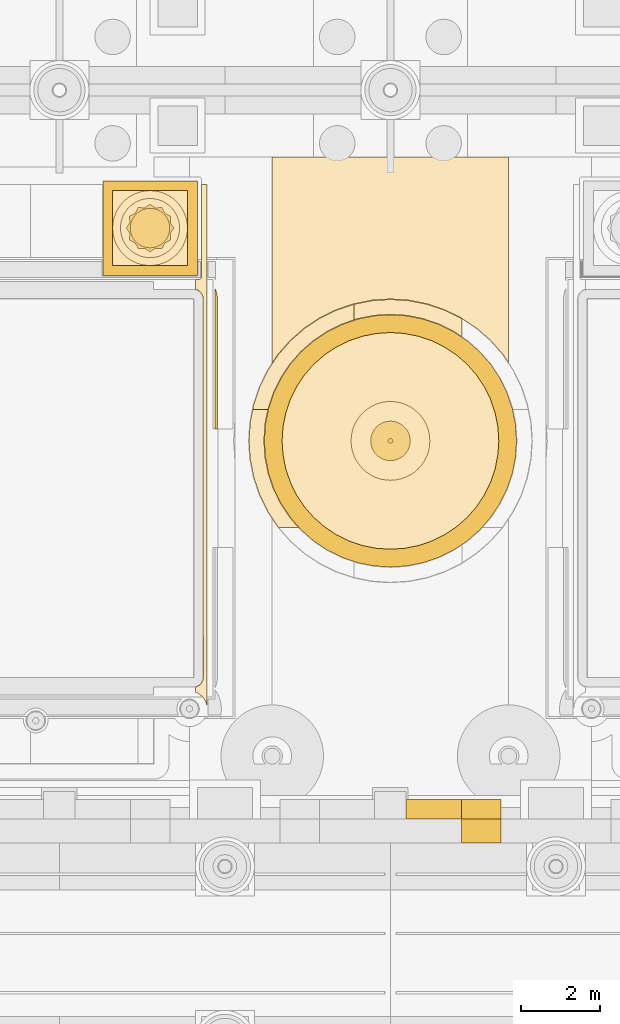
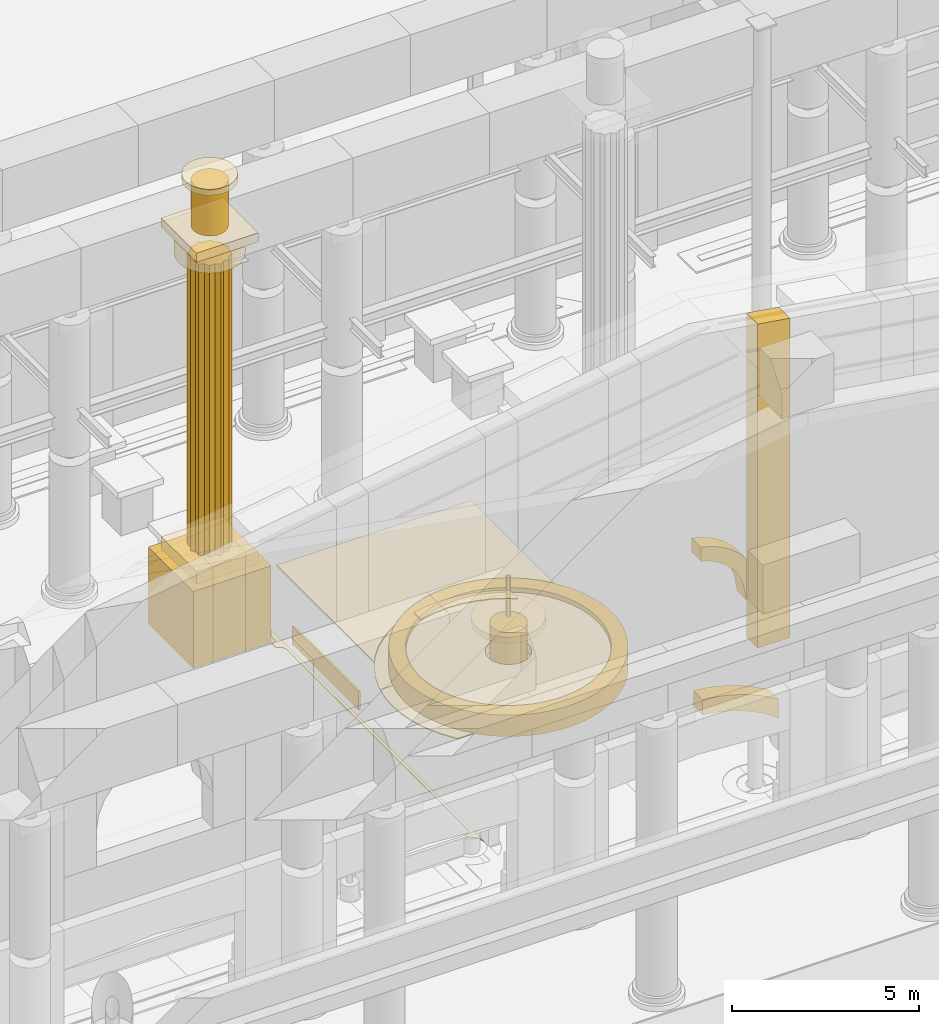
# One storey, part 123 of 222: 22 coverings.
"""IFC4 building model written with IfcOpenShell, lengths in metres."""

from ifc_helpers import new_model, si_unit, direction, frame, origin, origin_2d, place, context, subcontext, project, spatial, polyline, circle, outline, extrude, material, layer, layer_set, type_object, element, save


model = new_model("IFC4")

# Units and contexts
model_context = context("Model", 3, precision=1e-05, world=origin(), true_north=direction((0.0, 1.0)))
body_context = subcontext(model_context, "Body", "Model", "MODEL_VIEW")
ifc_project = project(units=[si_unit("LENGTHUNIT", "METRE"), si_unit("AREAUNIT", "SQUARE_METRE"), si_unit("VOLUMEUNIT", "CUBIC_METRE"), si_unit("PLANEANGLEUNIT", "RADIAN"), si_unit("MASSUNIT", "GRAM", prefix="KILO")], contexts=[model_context])

# Site, building, storey
site_placement = place(None, origin())
site = spatial("IfcSite", under=ifc_project, at=site_placement, CompositionType="ELEMENT")
building_placement = place(site_placement, origin())
building = spatial("IfcBuilding", under=site, at=building_placement, Name="Sava Quay Ferry Terminal", CompositionType="ELEMENT")
storey_placement = place(building_placement, origin())
storey = spatial("IfcBuildingStorey", under=building, at=storey_placement, Name="L00", CompositionType="ELEMENT", Elevation=0.0)

# Coverings
ifc_material_1 = material(Name="Limestone Mutalj", Category="masonry")
ifc_layer_1 = layer(ifc_material_1, 0.5)
ifc_layer_set_1 = layer_set([ifc_layer_1], Name="Limestone Mutalj")
covering_type_1 = type_object("IfcCoveringType", Name="Arch archivolt 500", PredefinedType="MOLDING", material=ifc_layer_set_1)
covering_1_placement = place(storey_placement, frame((63.449951171875, 0.39990234375, 4.1279296875), z_axis=(0.0, -1.0, 0.0), x_axis=(0.993307380301, 0.0, -0.115500858175)))
element("IfcCovering", 1, at=covering_1_placement, inside=storey, type_object=covering_type_1, Name="Arch archivolt", PredefinedType="MOLDING", context=body_context, shape_type="SweptSolid", body=[
    extrude(outline(polyline([(0.0, 0.0), (0.16910047517119814, 3.469446951953614e-18), (0.3386916034020246, -0.0063333722524431535), (0.5092865965134697, -0.019186226538567767), (0.6803722426845432, -0.03837245307713555), (0.8524617537362355, -0.06407816164938478), (1.025154711654367, -0.09708726921265261), (1.1988797329048202, -0.13685836549424574), (1.3734789061580595, -0.18414716899979858), (1.5487661216328463, -0.2394668915503016), (1.7251981942467658, -0.30251862955770537), (1.9024593013407467, -0.3748138200332787), (2.0810062578323745, -0.4560535593889721), (2.2605232410625775, -0.5477492846360541), (2.4415516613040493, -0.6503296122404072), (2.3707453490783825, -0.04139532709967292), (2.1917190189078077, 0.04396702589496604), (2.013922141231474, 0.12086984337877266), (1.8368415042283905, 0.18949923513298525), (1.66090572436444, 0.25039661143029707), (1.4856015898186314, 0.3037480820519464), (1.3113013201534418, 0.3505800706399143), (1.1375762989029885, 0.39035116692150745), (0.9645844373968073, 0.42381708940236024), (0.7925682423195425, 0.4510060365341754), (0.6210145018502029, 0.4721041180981913), (0.4503800309063738, 0.48741023768245734), (0.28017981611876747, 0.4968679983835679), (0.11089887085667155, 0.5005337971049285), (-0.05800421515260716, 0.4988362503124215), (0.0, 0.0)])), origin(), (0.0, 0.0, -1.0), 0.5),
])
ifc_material_2 = material(Name="Limestone Mutalj", Category="masonry")
ifc_layer_2 = layer(ifc_material_2, 0.60009765625)
ifc_layer_set_2 = layer_set([ifc_layer_2], Name="Limestone Mutalj")
covering_type_2 = type_object("IfcCoveringType", Name="Attic window jamb panel 600", PredefinedType="CLADDING", material=ifc_layer_set_2)
covering_2_placement = place(storey_placement, frame((64.800048828125, -0.199951171875, 6.199951171875), z_axis=(0.0, -1.0, 0.0), x_axis=(1.0, 0.0, 0.0)))
element("IfcCovering", 2, at=covering_2_placement, inside=storey, type_object=covering_type_2, Name="Attic window jamb panel", PredefinedType="CLADDING", context=body_context, shape_type="SweptSolid", body=[
    extrude(outline(polyline([(0.0, 0.0), (1.0, 0.0), (1.0, 10.416015625), (0.0, 10.571044921875), (0.0, 0.0)])), origin(), (0.0, 0.0, -1.0), 0.60009765625),
])
ifc_material_3 = material(Name="Basalt setts", Category="masonry")
ifc_layer_3 = layer(ifc_material_3, 0.02001953125)
ifc_layer_set_3 = layer_set([ifc_layer_3], Name="Basalt setts")
covering_type_3 = type_object("IfcCoveringType", Name="Basalt inlay line 20", PredefinedType="FLOORING", material=ifc_layer_set_3)
covering_3_placement = place(storey_placement, frame((0.0, 0.0, 0.050048828125)))
element("IfcCovering", 3, at=covering_3_placement, inside=storey, type_object=covering_type_3, Name="Basalt inlay line", PredefinedType="FLOORING", context=body_context, shape_type="SweptSolid", body=[
    extrude(outline(polyline([(58.072998046875, 3.760986328125), (58.050048828125, 3.7548828125), (58.050048828125, 3.6220703125), (58.074951171875, 3.614013671875), (58.1220703125, 3.591064453125), (58.1708984375, 3.55908203125), (58.219970703125, 3.51611328125), (58.259033203125, 3.470947265625), (58.2880859375, 3.427978515625), (58.31689453125, 3.368896484375), (58.3349609375, 3.31298828125), (58.345947265625, 3.261962890625), (58.35009765625, 3.197021484375), (58.35009765625, 16.5), (58.199951171875, 16.5), (58.199951171875, 14.14990234375), (58.196044921875, 14.131103515625), (58.18896484375, 14.117919921875), (58.177978515625, 14.10791015625), (58.1650390625, 14.10205078125), (58.14990234375, 14.10009765625), (58.050048828125, 14.10009765625), (58.050048828125, 13.844970703125), (58.072998046875, 13.839111328125), (58.095947265625, 13.8310546875), (58.138916015625, 13.80810546875), (58.158935546875, 13.79296875), (58.177001953125, 13.777099609375), (58.193115234375, 13.759033203125), (58.2080078125, 13.739013671875), (58.23095703125, 13.696044921875), (58.239013671875, 13.673095703125), (58.2490234375, 13.625), (58.25, 4.0), (58.2490234375, 3.97509765625), (58.239013671875, 3.927001953125), (58.23095703125, 3.904052734375), (58.2080078125, 3.861083984375), (58.193115234375, 3.841064453125), (58.177001953125, 3.822998046875), (58.158935546875, 3.806884765625), (58.138916015625, 3.7919921875), (58.095947265625, 3.76904296875), (58.072998046875, 3.760986328125)])), origin(), (0.0, 0.0, 1.0), 0.02001953125),
])
ifc_material_4 = material(Name="Limestone Mutalj", Category="masonry")
ifc_layer_4 = layer(ifc_material_4, 0.25)
ifc_layer_set_4 = layer_set([ifc_layer_4], Name="Limestone Mutalj")
covering_type_4 = type_object("IfcCoveringType", Name="Basin floor 250", PredefinedType="FLOORING", material=ifc_layer_set_4)
covering_4_placement = place(storey_placement, origin())
element("IfcCovering", 4, at=covering_4_placement, inside=storey, type_object=covering_type_4, Name="Basin floor", PredefinedType="FLOORING", context=body_context, shape_type="SweptSolid", body=[
    extrude(outline(polyline([(65.75, 10.0), (65.72607421875, 10.35888671875), (65.656005859375, 10.7119140625), (65.541015625, 11.052001953125), (65.382080078125, 11.375), (65.181884765625, 11.674072265625), (64.945068359375, 11.945068359375), (64.674072265625, 12.181884765625), (64.375, 12.382080078125), (64.052001953125, 12.541015625), (63.7119140625, 12.656005859375), (63.35888671875, 12.72607421875), (63.0, 12.75), (62.64111328125, 12.72607421875), (62.2880859375, 12.656005859375), (61.947998046875, 12.541015625), (61.625, 12.382080078125), (61.325927734375, 12.181884765625), (61.054931640625, 11.945068359375), (60.818115234375, 11.674072265625), (60.617919921875, 11.375), (60.458984375, 11.052001953125), (60.343994140625, 10.7119140625), (60.27392578125, 10.35888671875), (60.25, 10.0), (60.27392578125, 9.64111328125), (60.343994140625, 9.2880859375), (60.458984375, 8.947998046875), (60.617919921875, 8.625), (60.818115234375, 8.325927734375), (61.054931640625, 8.054931640625), (61.325927734375, 7.818115234375), (61.625, 7.617919921875), (61.947998046875, 7.458984375), (62.2880859375, 7.343994140625), (62.64111328125, 7.27392578125), (63.0, 7.25), (63.35888671875, 7.27392578125), (63.7119140625, 7.343994140625), (64.052001953125, 7.458984375), (64.375, 7.617919921875), (64.674072265625, 7.818115234375), (64.945068359375, 8.054931640625), (65.181884765625, 8.325927734375), (65.382080078125, 8.625), (65.541015625, 8.947998046875), (65.656005859375, 9.2880859375), (65.72607421875, 9.64111328125), (65.75, 10.0)])), origin(), (0.0, 0.0, 1.0), 0.25),
])
ifc_material_5 = material(Name="Limestone Mutalj", Category="masonry")
ifc_layer_5 = layer(ifc_material_5, 0.449951171875)
ifc_layer_set_5 = layer_set([ifc_layer_5], Name="Limestone Mutalj")
covering_type_5 = type_object("IfcCoveringType", Name="Basin rim 450", PredefinedType="MOLDING", material=ifc_layer_set_5)
covering_5_placement = place(storey_placement, origin())
element("IfcCovering", 5, at=covering_5_placement, inside=storey, type_object=covering_type_5, Name="Basin rim", PredefinedType="MOLDING", context=body_context, shape_type="SweptSolid", body=[
    extrude(outline(polyline([(66.173095703125, 9.58203125), (66.199951171875, 10.0), (66.173095703125, 10.41796875), (66.091064453125, 10.827880859375), (65.9560546875, 11.22509765625), (65.77099609375, 11.60009765625), (65.5390625, 11.947998046875), (65.262939453125, 12.262939453125), (64.947998046875, 12.5390625), (64.60009765625, 12.77099609375), (64.22509765625, 12.9560546875), (63.827880859375, 13.091064453125), (63.41796875, 13.173095703125), (63.0, 13.199951171875), (62.58203125, 13.173095703125), (62.172119140625, 13.091064453125), (61.77490234375, 12.9560546875), (61.39990234375, 12.77099609375), (61.052001953125, 12.5390625), (60.737060546875, 12.262939453125), (60.4609375, 11.947998046875), (60.22900390625, 11.60009765625), (60.0439453125, 11.22509765625), (59.908935546875, 10.827880859375), (59.826904296875, 10.41796875), (59.800048828125, 10.0), (59.826904296875, 9.58203125), (59.908935546875, 9.172119140625), (60.0439453125, 8.77490234375), (60.22900390625, 8.39990234375), (60.4609375, 8.052001953125), (60.737060546875, 7.737060546875), (61.052001953125, 7.4609375), (61.39990234375, 7.22900390625), (61.77490234375, 7.0439453125), (62.172119140625, 6.908935546875), (62.58203125, 6.826904296875), (63.0, 6.800048828125), (63.41796875, 6.826904296875), (63.827880859375, 6.908935546875), (64.22509765625, 7.0439453125), (64.60009765625, 7.22900390625), (64.947998046875, 7.4609375), (65.262939453125, 7.737060546875), (65.5390625, 8.052001953125), (65.77099609375, 8.39990234375), (65.9560546875, 8.77490234375), (66.091064453125, 9.172119140625), (66.173095703125, 9.58203125)]), holes=[polyline([(65.72607421875, 10.35888671875), (65.75, 10.0), (65.72607421875, 9.64111328125), (65.656005859375, 9.2880859375), (65.541015625, 8.947998046875), (65.382080078125, 8.625), (65.181884765625, 8.325927734375), (64.945068359375, 8.054931640625), (64.674072265625, 7.818115234375), (64.375, 7.617919921875), (64.052001953125, 7.458984375), (63.7119140625, 7.343994140625), (63.35888671875, 7.27392578125), (63.0, 7.25), (62.64111328125, 7.27392578125), (62.2880859375, 7.343994140625), (61.947998046875, 7.458984375), (61.625, 7.617919921875), (61.325927734375, 7.818115234375), (61.054931640625, 8.054931640625), (60.818115234375, 8.325927734375), (60.617919921875, 8.625), (60.458984375, 8.947998046875), (60.343994140625, 9.2880859375), (60.27392578125, 9.64111328125), (60.25, 10.0), (60.27392578125, 10.35888671875), (60.343994140625, 10.7119140625), (60.458984375, 11.052001953125), (60.617919921875, 11.375), (60.818115234375, 11.674072265625), (61.054931640625, 11.945068359375), (61.325927734375, 12.181884765625), (61.625, 12.382080078125), (61.947998046875, 12.541015625), (62.2880859375, 12.656005859375), (62.64111328125, 12.72607421875), (63.0, 12.75), (63.35888671875, 12.72607421875), (63.7119140625, 12.656005859375), (64.052001953125, 12.541015625), (64.375, 12.382080078125), (64.674072265625, 12.181884765625), (64.945068359375, 11.945068359375), (65.181884765625, 11.674072265625), (65.382080078125, 11.375), (65.541015625, 11.052001953125), (65.656005859375, 10.7119140625), (65.72607421875, 10.35888671875)])]), origin(), (0.0, 0.0, 1.0), 0.699951171875),
])
ifc_material_6 = material(Name="Water")
ifc_layer_6 = layer(ifc_material_6, 0.300048828125)
ifc_layer_set_6 = layer_set([ifc_layer_6], Name="Water")
covering_type_6 = type_object("IfcCoveringType", Name="Basin water surface 300", PredefinedType="FLOORING", material=ifc_layer_set_6)
covering_6_placement = place(storey_placement, frame((0.0, 0.0, 0.25)))
element("IfcCovering", 6, at=covering_6_placement, inside=storey, type_object=covering_type_6, Name="Basin water surface", PredefinedType="FLOORING", context=body_context, shape_type="SweptSolid", body=[
    extrude(outline(polyline([(65.72607421875, 9.64111328125), (65.75, 10.0), (65.72607421875, 10.35888671875), (65.656005859375, 10.7119140625), (65.541015625, 11.052001953125), (65.382080078125, 11.375), (65.181884765625, 11.674072265625), (64.945068359375, 11.945068359375), (64.674072265625, 12.181884765625), (64.375, 12.382080078125), (64.052001953125, 12.541015625), (63.7119140625, 12.656005859375), (63.35888671875, 12.72607421875), (63.0, 12.75), (62.64111328125, 12.72607421875), (62.2880859375, 12.656005859375), (61.947998046875, 12.541015625), (61.625, 12.382080078125), (61.325927734375, 12.181884765625), (61.054931640625, 11.945068359375), (60.818115234375, 11.674072265625), (60.617919921875, 11.375), (60.458984375, 11.052001953125), (60.343994140625, 10.7119140625), (60.27392578125, 10.35888671875), (60.25, 10.0), (60.27392578125, 9.64111328125), (60.343994140625, 9.2880859375), (60.458984375, 8.947998046875), (60.617919921875, 8.625), (60.818115234375, 8.325927734375), (61.054931640625, 8.054931640625), (61.325927734375, 7.818115234375), (61.625, 7.617919921875), (61.947998046875, 7.458984375), (62.2880859375, 7.343994140625), (62.64111328125, 7.27392578125), (63.0, 7.25), (63.35888671875, 7.27392578125), (63.7119140625, 7.343994140625), (64.052001953125, 7.458984375), (64.375, 7.617919921875), (64.674072265625, 7.818115234375), (64.945068359375, 8.054931640625), (65.181884765625, 8.325927734375), (65.382080078125, 8.625), (65.541015625, 8.947998046875), (65.656005859375, 9.2880859375), (65.72607421875, 9.64111328125)]), holes=[polyline([(63.614990234375, 10.0810546875), (63.6201171875, 10.0), (63.614990234375, 9.9189453125), (63.59912109375, 9.840087890625), (63.572998046875, 9.762939453125), (63.537109375, 9.68994140625), (63.491943359375, 9.623046875), (63.43798828125, 9.56201171875), (63.376953125, 9.508056640625), (63.31005859375, 9.462890625), (63.237060546875, 9.427001953125), (63.159912109375, 9.40087890625), (63.0810546875, 9.385009765625), (63.0, 9.3798828125), (62.9189453125, 9.385009765625), (62.840087890625, 9.40087890625), (62.762939453125, 9.427001953125), (62.68994140625, 9.462890625), (62.623046875, 9.508056640625), (62.56201171875, 9.56201171875), (62.508056640625, 9.623046875), (62.462890625, 9.68994140625), (62.427001953125, 9.762939453125), (62.40087890625, 9.840087890625), (62.385009765625, 9.9189453125), (62.3798828125, 10.0), (62.385009765625, 10.0810546875), (62.40087890625, 10.159912109375), (62.427001953125, 10.237060546875), (62.462890625, 10.31005859375), (62.508056640625, 10.376953125), (62.56201171875, 10.43798828125), (62.623046875, 10.491943359375), (62.68994140625, 10.537109375), (62.762939453125, 10.572998046875), (62.840087890625, 10.59912109375), (62.9189453125, 10.614990234375), (63.0, 10.6201171875), (63.0810546875, 10.614990234375), (63.159912109375, 10.59912109375), (63.237060546875, 10.572998046875), (63.31005859375, 10.537109375), (63.376953125, 10.491943359375), (63.43798828125, 10.43798828125), (63.491943359375, 10.376953125), (63.537109375, 10.31005859375), (63.572998046875, 10.237060546875), (63.59912109375, 10.159912109375), (63.614990234375, 10.0810546875)])]), origin(), (0.0, 0.0, 1.0), 0.300048828125),
])
ifc_material_7 = material(Name="Limestone Mutalj", Category="masonry")
ifc_layer_7 = layer(ifc_material_7, 1.89990234375)
ifc_layer_set_7 = layer_set([ifc_layer_7], Name="Limestone Mutalj")
covering_type_7 = type_object("IfcCoveringType", Name="Beacon column base 1900", PredefinedType="MOLDING", material=ifc_layer_set_7)
covering_7_placement = place(storey_placement, frame((0.0, 0.0, 2.5)))
element("IfcCovering", 7, at=covering_7_placement, inside=storey, type_object=covering_type_7, Name="Beacon column base", PredefinedType="MOLDING", context=body_context, shape_type="SweptSolid", body=[
    extrude(outline(polyline([(57.85009765625, 14.449951171875), (57.85009765625, 16.35009765625), (55.949951171875, 16.35009765625), (55.949951171875, 14.449951171875), (57.85009765625, 14.449951171875)])), origin(), (0.0, 0.0, 1.0), 0.39990234375),
])
ifc_material_8 = material(Name="Limestone Mutalj", Category="masonry")
ifc_layer_8 = layer(ifc_material_8, 1.89990234375)
ifc_layer_set_8 = layer_set([ifc_layer_8], Name="Limestone Mutalj")
covering_type_8 = type_object("IfcCoveringType", Name="Beacon column capital 1900", PredefinedType="MOLDING", material=ifc_layer_set_8)
covering_8_placement = place(storey_placement, frame((0.0, 0.0, 12.39990234375)))
element("IfcCovering", 8, at=covering_8_placement, inside=storey, type_object=covering_type_8, Name="Beacon column capital", PredefinedType="MOLDING", context=body_context, shape_type="SweptSolid", body=[
    extrude(outline(polyline([(57.85009765625, 15.39990234375), (57.842041015625, 15.52392578125), (57.818115234375, 15.64599609375), (57.778076171875, 15.763916015625), (57.722900390625, 15.875), (57.654052734375, 15.97802734375), (57.572021484375, 16.072021484375), (57.47802734375, 16.154052734375), (57.375, 16.222900390625), (57.263916015625, 16.278076171875), (57.14599609375, 16.318115234375), (57.02392578125, 16.342041015625), (56.89990234375, 16.35009765625), (56.77587890625, 16.342041015625), (56.654052734375, 16.318115234375), (56.535888671875, 16.278076171875), (56.425048828125, 16.222900390625), (56.322021484375, 16.154052734375), (56.22802734375, 16.072021484375), (56.14599609375, 15.97802734375), (56.076904296875, 15.875), (56.02197265625, 15.763916015625), (55.98193359375, 15.64599609375), (55.9580078125, 15.52392578125), (55.949951171875, 15.39990234375), (55.9580078125, 15.27587890625), (55.98193359375, 15.154052734375), (56.02197265625, 15.035888671875), (56.076904296875, 14.925048828125), (56.14599609375, 14.822021484375), (56.22802734375, 14.72802734375), (56.322021484375, 14.64599609375), (56.425048828125, 14.576904296875), (56.535888671875, 14.52197265625), (56.654052734375, 14.48193359375), (56.77587890625, 14.4580078125), (56.89990234375, 14.449951171875), (57.02392578125, 14.4580078125), (57.14599609375, 14.48193359375), (57.263916015625, 14.52197265625), (57.375, 14.576904296875), (57.47802734375, 14.64599609375), (57.572021484375, 14.72802734375), (57.654052734375, 14.822021484375), (57.722900390625, 14.925048828125), (57.778076171875, 15.035888671875), (57.818115234375, 15.154052734375), (57.842041015625, 15.27587890625), (57.85009765625, 15.39990234375)])), origin(), (0.0, 0.0, 1.0), 0.60009765625),
])
covering_9_placement = place(storey_placement, frame((0.0, 0.0, 13.0)))
element("IfcCovering", 9, at=covering_9_placement, inside=storey, type_object=covering_type_8, Name="Beacon column abacus", PredefinedType="MOLDING", context=body_context, shape_type="SweptSolid", body=[
    extrude(outline(polyline([(57.85009765625, 14.449951171875), (57.85009765625, 16.35009765625), (55.949951171875, 16.35009765625), (55.949951171875, 14.449951171875), (57.85009765625, 14.449951171875)])), origin(), (0.0, 0.0, 1.0), 0.300048828125),
])
ifc_material_9 = material(Name="Limestone Mutalj", Category="masonry")
ifc_layer_9 = layer(ifc_material_9, 1.199951171875)
ifc_layer_set_9 = layer_set([ifc_layer_9], Name="Limestone Mutalj")
covering_type_9 = type_object("IfcCoveringType", Name="Beacon column fluted shaft 1200", PredefinedType="CLADDING", material=ifc_layer_set_9)
covering_10_placement = place(storey_placement, frame((0.0, 0.0, 2.89990234375)))
element("IfcCovering", 10, at=covering_10_placement, inside=storey, type_object=covering_type_9, Name="Beacon column fluted shaft", PredefinedType="CLADDING", context=body_context, shape_type="SweptSolid", body=[
    extrude(outline(polyline([(57.5, 15.39990234375), (57.412109375, 15.537109375), (57.419921875, 15.699951171875), (57.27490234375, 15.77490234375), (57.199951171875, 15.919921875), (57.037109375, 15.912109375), (56.89990234375, 16.0), (56.762939453125, 15.912109375), (56.60009765625, 15.919921875), (56.52490234375, 15.77490234375), (56.3798828125, 15.699951171875), (56.387939453125, 15.537109375), (56.300048828125, 15.39990234375), (56.387939453125, 15.262939453125), (56.3798828125, 15.10009765625), (56.52490234375, 15.02490234375), (56.60009765625, 14.8798828125), (56.762939453125, 14.887939453125), (56.89990234375, 14.800048828125), (57.037109375, 14.887939453125), (57.199951171875, 14.8798828125), (57.27490234375, 15.02490234375), (57.419921875, 15.10009765625), (57.412109375, 15.262939453125), (57.5, 15.39990234375)])), origin(), (0.0, 0.0, 1.0), 9.5),
])
ifc_material_10 = material(Name="Limestone Mutalj", Category="masonry")
ifc_layer_10 = layer(ifc_material_10, 2.39990234375)
ifc_layer_set_10 = layer_set([ifc_layer_10], Name="Limestone Mutalj")
covering_type_10 = type_object("IfcCoveringType", Name="Beacon column plinth 2400", PredefinedType="MOLDING", material=ifc_layer_set_10)
covering_11_placement = place(storey_placement, origin())
element("IfcCovering", 11, at=covering_11_placement, inside=storey, type_object=covering_type_10, Name="Beacon column plinth", PredefinedType="MOLDING", context=body_context, shape_type="SweptSolid", body=[
    extrude(outline(polyline([(58.10009765625, 14.199951171875), (58.10009765625, 16.60009765625), (55.699951171875, 16.60009765625), (55.699951171875, 14.199951171875), (58.10009765625, 14.199951171875)])), origin(), (0.0, 0.0, 1.0), 2.5),
])
ifc_material_11 = material(Name="Glass lantern", Category="glass")
ifc_layer_11 = layer(ifc_material_11, 1.0)
ifc_layer_set_11 = layer_set([ifc_layer_11], Name="Glass lantern")
covering_type_11 = type_object("IfcCoveringType", Name="Beacon lantern 1000", PredefinedType="CLADDING", material=ifc_layer_set_11)
covering_12_placement = place(storey_placement, frame((56.89990234375, 15.39990234375, 14.800048828125), z_axis=(0.0, 0.0, -1.0), x_axis=(1.0, 0.0, 0.0)))
element("IfcCovering", 12, at=covering_12_placement, inside=storey, type_object=covering_type_11, Name="Beacon lantern", PredefinedType="CLADDING", context=body_context, shape_type="SweptSolid", body=[
    extrude(circle(Radius=0.5, at=origin_2d()), origin(), (0.0, 0.0, 1.0), 1.5),
])
ifc_material_12 = material(Name="Steel S355", Category="steel")
ifc_layer_12 = layer(ifc_material_12, 1.5)
ifc_layer_set_12 = layer_set([ifc_layer_12], Name="Steel S355")
covering_type_12 = type_object("IfcCoveringType", Name="Beacon lantern lid 1500", PredefinedType="MOLDING", material=ifc_layer_set_12)
covering_13_placement = place(storey_placement, frame((56.89990234375, 15.39990234375, 15.0), z_axis=(0.0, 0.0, -1.0), x_axis=(1.0, 0.0, 0.0)))
element("IfcCovering", 13, at=covering_13_placement, inside=storey, type_object=covering_type_12, Name="Beacon lantern lid", PredefinedType="MOLDING", context=body_context, shape_type="SweptSolid", body=[
    extrude(circle(Radius=0.75, at=origin_2d()), origin(), (0.0, 0.0, 1.0), 0.199951171875),
])
ifc_material_13 = material(Name="Limestone Mutalj", Category="masonry")
ifc_layer_13 = layer(ifc_material_13, 0.030029296875)
ifc_layer_set_13 = layer_set([ifc_layer_13], Name="Limestone Mutalj")
covering_type_13 = type_object("IfcCoveringType", Name="Court paving tile 30", PredefinedType="FLOORING", material=ifc_layer_set_13)
covering_14_placement = place(storey_placement, origin())
element("IfcCovering", 14, at=covering_14_placement, inside=storey, type_object=covering_type_13, Name="Limestone paving tile", PredefinedType="FLOORING", context=body_context, shape_type="SweptSolid", body=[
    extrude(outline(polyline([(62.080078125, 13.070068359375), (62.080078125, 13.468994140625), (62.071044921875, 13.467041015625), (61.6259765625, 13.31689453125), (61.205078125, 13.10888671875), (60.81396484375, 12.847900390625), (60.4609375, 12.5390625), (60.152099609375, 12.18603515625), (59.89111328125, 11.794921875), (59.68310546875, 11.3740234375), (59.532958984375, 10.928955078125), (59.507080078125, 10.800048828125), (59.89306640625, 10.800048828125), (59.89990234375, 10.8310546875), (60.034912109375, 11.22802734375), (60.219970703125, 11.60400390625), (60.452880859375, 11.955078125), (60.72998046875, 12.27099609375), (61.044921875, 12.547119140625), (61.39404296875, 12.779052734375), (61.77099609375, 12.965087890625), (62.080078125, 13.070068359375)])), origin(), (0.0, 0.0, 1.0), 0.030029296875),
])
ifc_material_14 = material(Name="Red sandstone Vrsac", Category="masonry")
ifc_layer_14 = layer(ifc_material_14, 0.030029296875)
ifc_layer_set_14 = layer_set([ifc_layer_14], Name="Red sandstone Vrsac")
covering_type_14 = type_object("IfcCoveringType", Name="Court paving tile sandstone 30", PredefinedType="FLOORING", material=ifc_layer_set_14)
covering_15_placement = place(storey_placement, origin())
element("IfcCovering", 15, at=covering_15_placement, inside=storey, type_object=covering_type_14, Name="Sandstone paving tile", PredefinedType="FLOORING", context=body_context, shape_type="SweptSolid", body=[
    extrude(outline(polyline([(59.89306640625, 10.800048828125), (59.507080078125, 10.800048828125), (59.44091796875, 10.468994140625), (59.409912109375, 10.0), (59.44091796875, 9.531005859375), (59.532958984375, 9.071044921875), (59.68310546875, 8.6259765625), (59.89111328125, 8.205078125), (60.152099609375, 7.81396484375), (60.1640625, 7.800048828125), (60.6689453125, 7.800048828125), (60.452880859375, 8.0458984375), (60.219970703125, 8.39599609375), (60.034912109375, 8.77197265625), (59.89892578125, 9.169921875), (59.81689453125, 9.5810546875), (59.7900390625, 9.9990234375), (59.81689453125, 10.4189453125), (59.89306640625, 10.800048828125)])), origin(), (0.0, 0.0, 1.0), 0.030029296875),
])
covering_16_placement = place(storey_placement, origin())
element("IfcCovering", 16, at=covering_16_placement, inside=storey, type_object=covering_type_14, Name="Sandstone paving tile", PredefinedType="FLOORING", context=body_context, shape_type="SweptSolid", body=[
    extrude(outline(polyline([(64.820068359375, 12.635986328125), (64.820068359375, 13.093017578125), (64.794921875, 13.10888671875), (64.3740234375, 13.31689453125), (63.928955078125, 13.467041015625), (63.468994140625, 13.55908203125), (63.0, 13.590087890625), (62.531005859375, 13.55908203125), (62.080078125, 13.468994140625), (62.080078125, 13.070068359375), (62.169921875, 13.10107421875), (62.5810546875, 13.18310546875), (63.0009765625, 13.2099609375), (63.419921875, 13.18310546875), (63.8310546875, 13.10009765625), (64.22802734375, 12.965087890625), (64.60400390625, 12.780029296875), (64.820068359375, 12.635986328125)])), origin(), (0.0, 0.0, 1.0), 0.030029296875),
])
ifc_material_15 = material(Name="Limestone Mutalj", Category="masonry")
ifc_layer_15 = layer(ifc_material_15, 0.199951171875)
ifc_layer_set_15 = layer_set([ifc_layer_15], Name="Limestone Mutalj")
covering_type_15 = type_object("IfcCoveringType", Name="Fountain bowl 2000", PredefinedType="MOLDING", material=ifc_layer_set_15)
covering_17_placement = place(storey_placement, frame((0.0, 0.0, 1.5)))
element("IfcCovering", 17, at=covering_17_placement, inside=storey, type_object=covering_type_15, Name="Fountain bowl", PredefinedType="MOLDING", context=body_context, shape_type="SweptSolid", body=[
    extrude(outline(polyline([(64.0, 10.0), (63.990966796875, 10.131103515625), (63.966064453125, 10.259033203125), (63.924072265625, 10.383056640625), (63.865966796875, 10.5), (63.79296875, 10.60888671875), (63.70703125, 10.70703125), (63.60888671875, 10.79296875), (63.5, 10.865966796875), (63.383056640625, 10.924072265625), (63.259033203125, 10.966064453125), (63.131103515625, 10.990966796875), (63.0, 11.0), (62.868896484375, 10.990966796875), (62.740966796875, 10.966064453125), (62.616943359375, 10.924072265625), (62.5, 10.865966796875), (62.39111328125, 10.79296875), (62.29296875, 10.70703125), (62.20703125, 10.60888671875), (62.134033203125, 10.5), (62.075927734375, 10.383056640625), (62.033935546875, 10.259033203125), (62.009033203125, 10.131103515625), (62.0, 10.0), (62.009033203125, 9.868896484375), (62.033935546875, 9.740966796875), (62.075927734375, 9.616943359375), (62.134033203125, 9.5), (62.20703125, 9.39111328125), (62.29296875, 9.29296875), (62.39111328125, 9.20703125), (62.5, 9.134033203125), (62.616943359375, 9.075927734375), (62.740966796875, 9.033935546875), (62.868896484375, 9.009033203125), (63.0, 9.0), (63.131103515625, 9.009033203125), (63.259033203125, 9.033935546875), (63.383056640625, 9.075927734375), (63.5, 9.134033203125), (63.60888671875, 9.20703125), (63.70703125, 9.29296875), (63.79296875, 9.39111328125), (63.865966796875, 9.5), (63.924072265625, 9.616943359375), (63.966064453125, 9.740966796875), (63.990966796875, 9.868896484375), (64.0, 10.0)])), origin(), (0.0, 0.0, 1.0), 0.199951171875),
])
ifc_material_16 = material(Name="Water")
ifc_layer_16 = layer(ifc_material_16, 0.1201171875)
ifc_layer_set_16 = layer_set([ifc_layer_16], Name="Water")
covering_type_16 = type_object("IfcCoveringType", Name="Fountain jet 120", PredefinedType="CLADDING", material=ifc_layer_set_16)
covering_18_placement = place(storey_placement, frame((63.0, 10.0, 3.0), z_axis=(0.0, 0.0, -1.0), x_axis=(1.0, 0.0, 0.0)))
element("IfcCovering", 18, at=covering_18_placement, inside=storey, type_object=covering_type_16, Name="Fountain jet", PredefinedType="CLADDING", context=body_context, shape_type="SweptSolid", body=[
    extrude(circle(Radius=0.06005859375, at=origin_2d()), origin(), (0.0, 0.0, 1.0), 1.300048828125),
])
ifc_material_17 = material(Name="Limestone Mutalj", Category="masonry")
ifc_layer_17 = layer(ifc_material_17, 1.0)
ifc_layer_set_17 = layer_set([ifc_layer_17], Name="Limestone Mutalj")
covering_type_17 = type_object("IfcCoveringType", Name="Fountain pedestal 1000", PredefinedType="MOLDING", material=ifc_layer_set_17)
covering_19_placement = place(storey_placement, frame((63.0, 10.0, 1.5), z_axis=(0.0, 0.0, -1.0), x_axis=(1.0, 0.0, 0.0)))
element("IfcCovering", 19, at=covering_19_placement, inside=storey, type_object=covering_type_17, Name="Fountain pedestal", PredefinedType="MOLDING", context=body_context, shape_type="SweptSolid", body=[
    extrude(circle(Radius=0.5, at=origin_2d()), origin(), (0.0, 0.0, 1.0), 1.25),
])
ifc_material_18 = material(Name="Limestone Mutalj", Category="masonry")
ifc_layer_18 = layer(ifc_material_18, 0.39990234375)
ifc_layer_set_18 = layer_set([ifc_layer_18], Name="Limestone Mutalj")
covering_type_18 = type_object("IfcCoveringType", Name="Retaining wall 400", PredefinedType="CLADDING", material=ifc_layer_set_18)
covering_20_placement = place(storey_placement, origin())
element("IfcCovering", 20, at=covering_20_placement, inside=storey, type_object=covering_type_18, Name="Retaining wall", PredefinedType="CLADDING", context=body_context, shape_type="SweptSolid", body=[
    extrude(outline(polyline([(58.550048828125, 10.300048828125), (58.60888671875, 10.300048828125), (58.60888671875, 13.6240234375), (58.60693359375, 13.662109375), (58.60107421875, 13.698974609375), (58.592041015625, 13.74609375), (58.5791015625, 13.7919921875), (58.56103515625, 13.840087890625), (58.550048828125, 13.861083984375), (58.550048828125, 10.300048828125)])), origin(), (0.0, 0.0, 1.0), 0.60009765625),
])
ifc_material_19 = material(Name="Limestone Mutalj", Category="masonry")
ifc_layer_19 = layer(ifc_material_19, 0.050048828125)
ifc_layer_set_19 = layer_set([ifc_layer_19], Name="Limestone Mutalj")
covering_type_19 = type_object("IfcCoveringType", Name="Stone paving band 50", PredefinedType="FLOORING", material=ifc_layer_set_19)
covering_21_placement = place(storey_placement, origin())
element("IfcCovering", 21, at=covering_21_placement, inside=storey, type_object=covering_type_19, Name="Stone paving band", PredefinedType="FLOORING", context=body_context, shape_type="SweptSolid", body=[
    extrude(outline(polyline([(60.0, 17.199951171875), (60.0, 11.97607421875), (60.14404296875, 12.19189453125), (60.4541015625, 12.5458984375), (60.80810546875, 12.85595703125), (61.199951171875, 13.117919921875), (61.6220703125, 13.325927734375), (62.068115234375, 13.47705078125), (62.530029296875, 13.569091796875), (63.0, 13.60009765625), (63.469970703125, 13.569091796875), (63.931884765625, 13.47705078125), (64.3779296875, 13.325927734375), (64.800048828125, 13.117919921875), (65.19189453125, 12.85595703125), (65.5458984375, 12.5458984375), (65.85595703125, 12.19189453125), (66.0, 11.97607421875), (66.0, 17.199951171875), (60.0, 17.199951171875)])), origin(), (0.0, 0.0, 1.0), 0.050048828125),
])
ifc_material_20 = material(Name="Limestone Mutalj", Category="masonry")
ifc_layer_20 = layer(ifc_material_20, 0.5)
ifc_layer_set_20 = layer_set([ifc_layer_20], Name="Limestone Mutalj")
covering_type_20 = type_object("IfcCoveringType", Name="Window archivolt 450", PredefinedType="MOLDING", material=ifc_layer_set_20)
covering_22_placement = place(storey_placement, frame((63.39990234375, 0.39990234375, 9.155029296875), z_axis=(0.0, -1.0, 0.0), x_axis=(0.968166647099, 0.0, -0.250306499006)))
element("IfcCovering", 22, at=covering_22_placement, inside=storey, type_object=covering_type_20, Name="Window archivolt", PredefinedType="MOLDING", context=body_context, shape_type="SweptSolid", body=[
    extrude(outline(polyline([(0.0, 0.0), (0.10338887065559549, 3.469446951953614e-18), (0.20830549093891393, -0.005909220258173781), (0.3146968219949552, -0.01849787719061112), (0.423096711429482, -0.03788011963742112), (0.5332157515771674, -0.06488727399980251), (0.6456489000288829, -0.09986985792819128), (0.7605875578700642, -0.14454356307998512), (0.8780397962308196, -0.19991497468160066), (0.9991505625680017, -0.2684619296764165), (1.1242415490673723, -0.35337944256890097), (1.2553132429773082, -0.46045451364701), (1.3948792248173838, -0.6003848493605652), (1.5498529940350156, -0.8008867105029287), (1.7948948101730857, -1.3487896128408021), (1.4569565925207628, -0.041670091732761094), (1.3290626178364908, 0.05311380120834647), (1.2053160510095167, 0.13283120027363796), (1.084571944582988, 0.19995994240649212), (0.9665777874863608, 0.2564520880746335), (0.8511421786341996, 0.30402332893545964), (0.7374868304803056, 0.34373328907038747), (0.6259011506900064, 0.3764132948806157), (0.5157901816724297, 0.4024138640165803), (0.40720696228257613, 0.4225052128943712), (0.3003267513456635, 0.43698482030942415), (0.1945545912708202, 0.4462032039121753), (0.09030210969359109, 0.4505189524831693), (-0.012903431006677638, 0.44980984605218843), (-0.11494788198987689, 0.4446097322249955), (0.0, 0.0)])), origin(), (0.0, 0.0, -1.0), 0.5),
])

save(model, "model.ifc")
